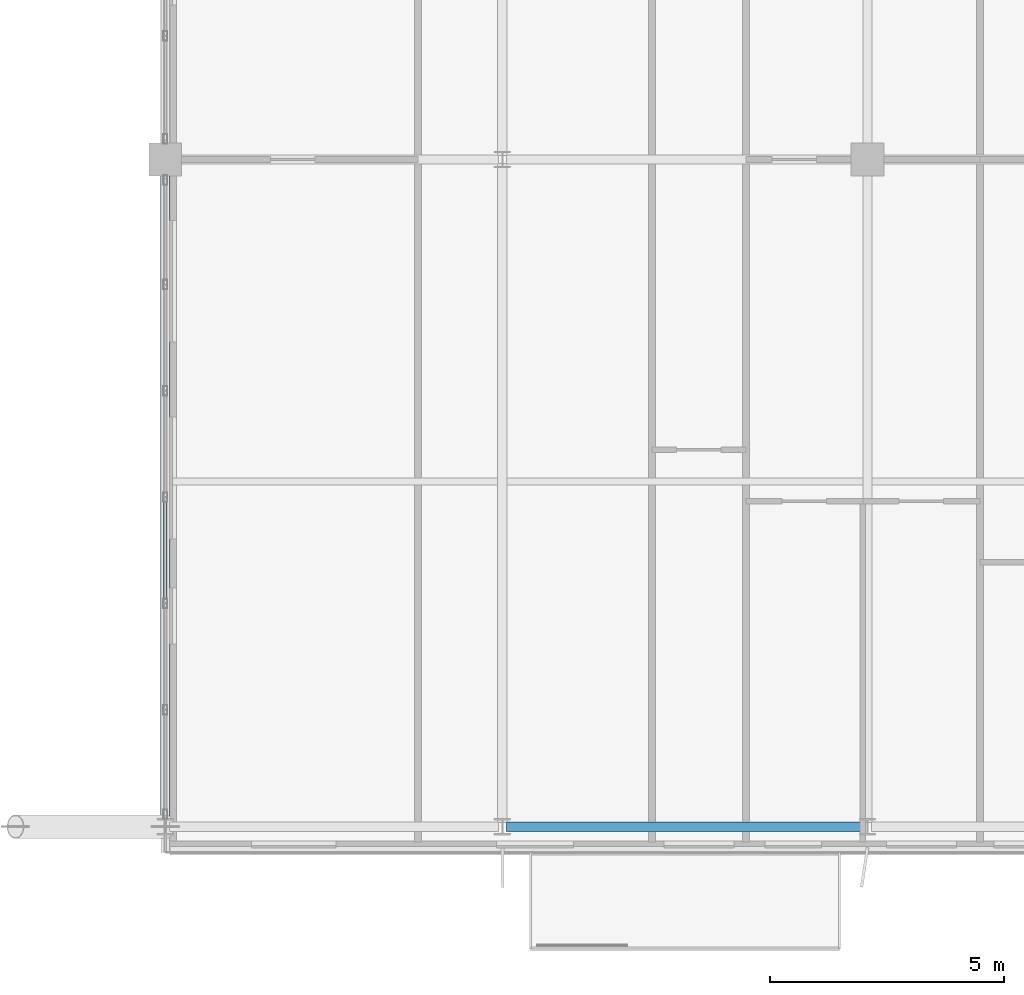
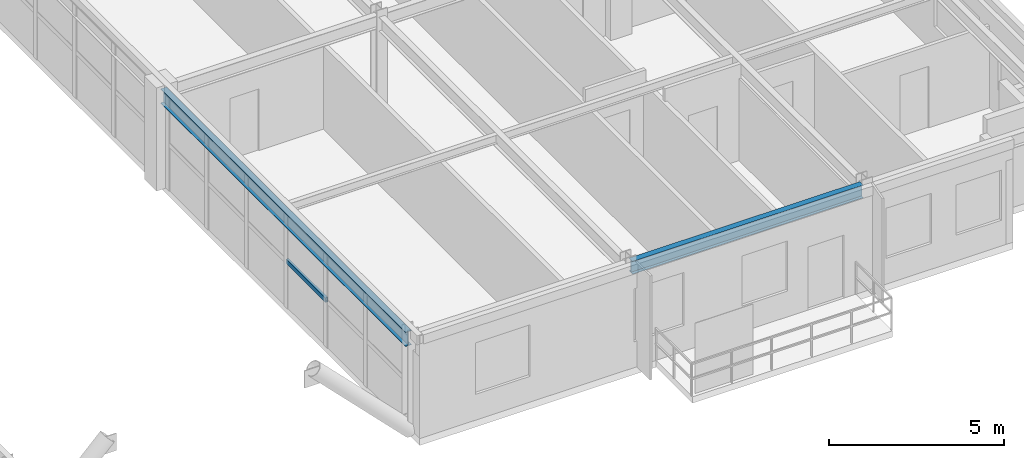
# One storey, part 11 of 35: 2 beams, 1 member, 1 element without a shape of its own.
"""IFC4 building model written with IfcOpenShell, lengths in metres."""

from ifc_helpers import new_model, si_unit, direction, frame, origin, origin_2d, place, context, subcontext, project, spatial, hollow_rectangle, i_section, extrude, source, transform, mapped, material, material_profile, profile_set, type_object, element, aggregate, save


model = new_model("IFC4")

# Units and contexts
model_context = context("Model", 3, precision=1e-05, world=origin(), true_north=direction((0.0, 1.0)))
body_context = subcontext(model_context, "Body", "Model", "MODEL_VIEW")
ifc_project = project(units=[si_unit("LENGTHUNIT", "METRE"), si_unit("AREAUNIT", "SQUARE_METRE"), si_unit("VOLUMEUNIT", "CUBIC_METRE"), si_unit("PLANEANGLEUNIT", "RADIAN"), si_unit("MASSUNIT", "GRAM", prefix="KILO")], contexts=[model_context])

# Site, building, storey
site_placement = place(None, origin())
site = spatial("IfcSite", under=ifc_project, at=site_placement, CompositionType="ELEMENT")
building_placement = place(site_placement, origin())
building = spatial("IfcBuilding", under=site, at=building_placement, Name="Trelvane Seafront Commons", CompositionType="ELEMENT")
storey_placement = place(building_placement, frame((0.0, 0.0, 194.10009765625)))
storey = spatial("IfcBuildingStorey", under=building, at=storey_placement, Name="L50", CompositionType="ELEMENT", Elevation=194.10009765625)

# Beams
ifc_material_1 = material(Name="Steel SM355 (S355)", Category="steel")
ifc_material_profile_1 = material_profile(ifc_material_1, i_section(OverallWidth=0.199951171875, OverallDepth=0.449951171875, WebThickness=0.009033203125, FlangeThickness=0.013916015625, at=origin_2d()), Name="H-450x200x9x14")
ifc_profile_set_1 = profile_set([ifc_material_profile_1], Name="Steel SM355 (S355)")
beam_type_1 = type_object("IfcBeamType", Name="STR-SPD-H450", PredefinedType="SPANDREL", material=ifc_profile_set_1)
shared_shape_1 = source(origin(), body_context, "Body", "SweptSolid", [
    extrude(i_section(OverallWidth=0.199951171875, OverallDepth=0.449951171875, WebThickness=0.009033203125, FlangeThickness=0.013916015625, at=origin_2d()), origin(), (0.0, 0.0, 1.0), 7.625),
])
beam_1_placement = place(storey_placement, frame((51.08740234375, 3.949951171875, 3.135009765625), z_axis=(1.0, 0.0, 0.0), x_axis=(0.0, 1.0, 0.0)))
element("IfcBeam", 1, at=beam_1_placement, inside=storey, type_object=beam_type_1, Name="L50 Primary Girder G-06", PredefinedType="SPANDREL", context=body_context, shape_type="MappedRepresentation", body=[
    mapped(shared_shape_1, transform((0.0, 0.0, 0.0), x_axis=(1.0, 0.0, 0.0), y_axis=(0.0, 1.0, 0.0), z_axis=(0.0, 0.0, 1.0), scale=1.0)),
])
ifc_material_profile_2 = material_profile(ifc_material_1, i_section(OverallWidth=0.199951171875, OverallDepth=0.5, WebThickness=0.010009765625, FlangeThickness=0.01611328125, at=origin_2d()), Name="H-500x200x10x16")
ifc_profile_set_2 = profile_set([ifc_material_profile_2], Name="Steel SM355 (S355)")
beam_type_2 = type_object("IfcBeamType", Name="STR-BM-H500", PredefinedType="BEAM", material=ifc_profile_set_2)
shared_shape_2 = source(origin(), body_context, "Body", "SweptSolid", [
    extrude(i_section(OverallWidth=0.199951171875, OverallDepth=0.5, WebThickness=0.010009765625, FlangeThickness=0.01611328125, at=origin_2d()), origin(), (0.0, 0.0, 1.0), 14.012451171875),
])
beam_2_placement = place(storey_placement, frame((43.800048828125, 4.03759765625, 3.10986328125), z_axis=(0.0, 1.0, 0.0), x_axis=(-1.0, 0.0, 0.0)))
element("IfcBeam", 2, at=beam_2_placement, inside=storey, type_object=beam_type_2, Name="L50 Primary Girder G-41", PredefinedType="BEAM", context=body_context, shape_type="MappedRepresentation", body=[
    mapped(shared_shape_2, transform((0.0, 0.0, 0.0), x_axis=(1.0, 0.0, 0.0), y_axis=(0.0, 1.0, 0.0), z_axis=(0.0, 0.0, 1.0), scale=1.0)),
])

# Curtain wall, member
ifc_material_2 = material(Name="Anodised pale-silver aluminium", Category="aluminium")
curtain_wall_type = type_object("IfcCurtainWallType", Name="ARCH-CW3-PORTAL", PredefinedType="NOTDEFINED", material=ifc_material_2)
curtain_wall_placement = place(storey_placement, origin())
curtain_wall = element("IfcCurtainWall", 3, at=curtain_wall_placement, inside=storey, type_object=curtain_wall_type, Name="CW-L50-VP-0083", PredefinedType="NOTDEFINED")
ifc_material_profile_3 = material_profile(ifc_material_2, hollow_rectangle(XDim=0.080078125, YDim=0.159912109375, WallThickness=0.00439453125, at=origin_2d()), Name="TRAN-80x160x4.5")
ifc_profile_set_3 = profile_set([ifc_material_profile_3], Name="Anodised pale-silver aluminium")
member_type = type_object("IfcMemberType", Name="ARCH-CW-TRAN-160", PredefinedType="USERDEFINED", material=ifc_profile_set_3)
shared_shape_3 = source(origin(), body_context, "Body", "SweptSolid", [
    extrude(hollow_rectangle(XDim=0.080078125, YDim=0.159912109375, WallThickness=0.00439453125, at=origin_2d()), origin(), (0.0, 0.0, 1.0), 2.246826171875),
])
member_placement = place(storey_placement, frame((43.800048828125, 10.9755859375, 1.61279296875), z_axis=(0.0, -1.0, 0.0), x_axis=(1.0, 0.0, 0.0)))
member = element("IfcMember", 4, at=member_placement, type_object=member_type, Name="CW-L50-VP-0083-T03", ObjectType="TRANSOM", PredefinedType="USERDEFINED", context=body_context, shape_type="MappedRepresentation", body=[
    mapped(shared_shape_3, transform((0.0, 0.0, 0.0), x_axis=(1.0, 0.0, 0.0), y_axis=(0.0, 1.0, 0.0), z_axis=(0.0, 0.0, 1.0), scale=1.0)),
])
aggregate(curtain_wall, [member])

save(model, "model.ifc")
